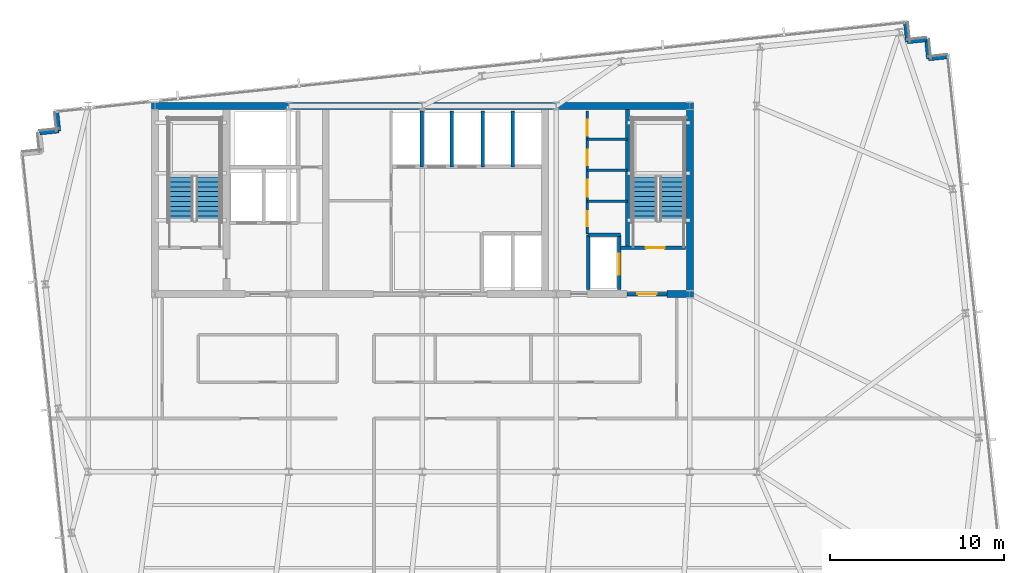
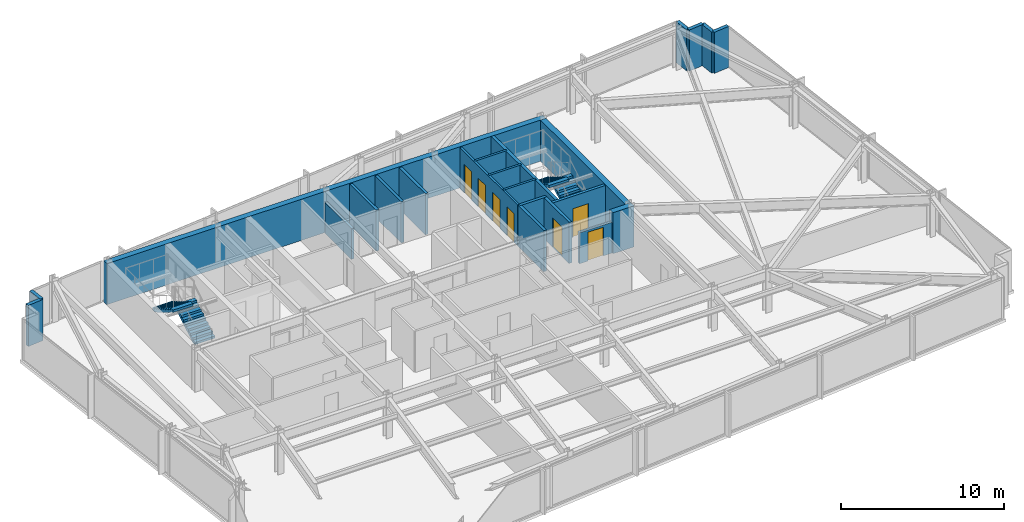
# One storey, part 28 of 32: 23 walls, 7 doors, 4 stair flights, 7 openings, 2 elements without a shape of their own.
"""IFC4 building model written with IfcOpenShell, lengths in metres."""

from ifc_helpers import new_model, si_unit, direction, frame, frame_2d, origin, place, context, subcontext, project, spatial, polyline, rectangle, outline, extrude, material, layer, layer_set, type_object, element, fill, aggregate, save


model = new_model("IFC4")

# Units and contexts
model_context = context("Model", 3, precision=1e-05, world=origin(), true_north=direction((0.0, 1.0)))
body_context = subcontext(model_context, "Body", "Model", "MODEL_VIEW")
ifc_project = project(units=[si_unit("LENGTHUNIT", "METRE"), si_unit("AREAUNIT", "SQUARE_METRE"), si_unit("VOLUMEUNIT", "CUBIC_METRE"), si_unit("PLANEANGLEUNIT", "RADIAN"), si_unit("MASSUNIT", "GRAM", prefix="KILO")], contexts=[model_context])

# Site, building, storey
site_placement = place(None, origin())
site = spatial("IfcSite", under=ifc_project, at=site_placement, CompositionType="ELEMENT")
building_placement = place(site_placement, origin())
building = spatial("IfcBuilding", under=site, at=building_placement, Name="Yelkora Congress Tower", CompositionType="ELEMENT")
storey_placement = place(building_placement, frame((0.0, 0.0, 207.800048828125)))
storey = spatial("IfcBuildingStorey", under=building, at=storey_placement, Name="L57", CompositionType="ELEMENT", Elevation=207.800048828125)

# Walls
ifc_material_1 = material(Name="Concrete C50/60", Category="concrete")
ifc_layer_1 = layer(ifc_material_1, 0.219970703125)
ifc_layer_set_1 = layer_set([ifc_layer_1], Name="Concrete C50/60")
wall_type_1 = type_object("IfcWallType", Name="WALL-CORE-INT-220", PredefinedType="SHEAR", material=ifc_layer_set_1)
wall_1_placement = place(storey_placement, frame((50.179931640625, 38.050048828125, 0.0), z_axis=(0.0, 0.0, 1.0), x_axis=(0.0, 1.0, 0.0)))
element("IfcWall", 1, at=wall_1_placement, inside=storey, type_object=wall_type_1, Name="L57 ST02 West Stair Shear Wall", PredefinedType="SHEAR", context=body_context, shape_type="SweptSolid", body=[
    extrude(rectangle(XDim=7.949951171875, YDim=0.219970703125, at=frame_2d((3.97509765625, 0.0))), origin(), (0.0, 0.0, 1.0), 3.079833984375),
])
ifc_layer_2 = layer(ifc_material_1, 0.39990234375)
ifc_layer_set_2 = layer_set([ifc_layer_2], Name="Concrete C50/60")
wall_type_2 = type_object("IfcWallType", Name="WALL-CORE-INT-400", PredefinedType="SHEAR", material=ifc_layer_set_2)
wall_2_placement = place(storey_placement, frame((22.840087890625, 46.199951171875, 0.0), z_axis=(0.0, 0.0, 1.0), x_axis=(1.0, 0.0, 0.0)))
element("IfcWall", 2, at=wall_2_placement, inside=storey, type_object=wall_type_2, Name="L57 Rear Core North Shear Wall", PredefinedType="SHEAR", context=body_context, shape_type="SweptSolid", body=[
    extrude(rectangle(XDim=31.119873046875, YDim=0.39990234375, at=frame_2d((15.56005859375, 0.0))), origin(), (0.0, 0.0, 1.0), 3.079833984375),
])
wall_3_placement = place(storey_placement, frame((52.449951171875, 35.39990234375, 0.0), z_axis=(0.0, 0.0, 1.0), x_axis=(1.0, 0.0, 0.0)))
element("IfcWall", 3, at=wall_3_placement, inside=storey, type_object=wall_type_2, Name="L57 Rear Core South-East Shear Wall B", PredefinedType="SHEAR", context=body_context, shape_type="SweptSolid", body=[
    extrude(rectangle(XDim=1.510009765625, YDim=0.39990234375, at=frame_2d((0.7548828125, 0.0))), origin(), (0.0, 0.0, 1.0), 3.079833984375),
])
wall_4_placement = place(storey_placement, frame((53.760009765625, 35.60009765625, 0.0), z_axis=(0.0, 0.0, 1.0), x_axis=(0.0, 1.0, 0.0)))
element("IfcWall", 4, at=wall_4_placement, inside=storey, type_object=wall_type_2, Name="L57 Rear Core Cross Shear Wall E", PredefinedType="SHEAR", context=body_context, shape_type="SweptSolid", body=[
    extrude(rectangle(XDim=10.39990234375, YDim=0.39990234375, at=frame_2d((5.199951171875, 0.0))), origin(), (0.0, 0.0, 1.0), 3.079833984375),
])
ifc_material_2 = material(Name="Concrete C40/50", Category="concrete")
ifc_layer_3 = layer(ifc_material_2, 0.239990234375)
ifc_layer_set_3 = layer_set([ifc_layer_3], Name="Concrete C40/50")
wall_type_3 = type_object("IfcWallType", Name="WALL-EXT-LIMESTONE-240", PredefinedType="SOLIDWALL", material=ifc_layer_set_3)
wall_5_placement = place(storey_placement, frame((16.420166015625, 44.65380859375, 0.0), z_axis=(0.0, 0.0, 1.0), x_axis=(0.994541884982, 0.104338099541, 0.0)))
element("IfcWall", 5, at=wall_5_placement, inside=storey, type_object=wall_type_3, Name="L57 Serrated Corner Limestone Pier 8", PredefinedType="SOLIDWALL", context=body_context, shape_type="SweptSolid", body=[
    extrude(rectangle(XDim=1.099853515625, YDim=0.239990234375, at=frame_2d((0.5498046875, 0.0))), origin(), (0.0, 0.0, 1.0), 3.079833984375),
])
for number, where, z_axis, x_axis, name in (
    (6, (17.513916015625, 44.7685546875, 0.0), (0.0, 0.0, 1.0), (-0.104534592565, 0.994521251134, 0.0), "L57 Serrated Corner Limestone Pier 9"),
    (7, (66.150390625, 50.986572265625, 0.0), (0.0, 0.0, 1.0), (0.104534592565, -0.994521251134, 0.0), "L57 Serrated Corner Limestone Pier 11"),
    (8, (66.265380859375, 49.892578125, 0.0), (0.0, 0.0, 1.0), (0.994521251134, 0.104534592565, 0.0), "L57 Serrated Corner Limestone Pier 12"),
    (9, (67.359375, 50.007568359375, 0.0), (0.0, 0.0, 1.0), (0.104534592565, -0.994521251134, 0.0), "L57 Serrated Corner Limestone Pier 13"),
    (10, (67.474365234375, 48.91357421875, 0.0), (0.0, 0.0, 1.0), (0.994521251134, 0.104534592565, 0.0), "L57 Serrated Corner Limestone Pier 14"),
):
    element("IfcWall", number, at=place(storey_placement, frame(where, z_axis=z_axis, x_axis=x_axis)), inside=storey, type_object=wall_type_3, Name=name, PredefinedType="SOLIDWALL", context=body_context, shape_type="SweptSolid", body=[
        extrude(rectangle(XDim=1.10009765625, YDim=0.239990234375, at=frame_2d((0.550048828125, 0.0))), origin(), (0.0, 0.0, 1.0), 3.079833984375),
    ])
ifc_material_3 = material(Name="Acoustic metal-stud gypsum partition", Category="gypsum")
ifc_layer_4 = layer(ifc_material_3, 0.14990234375)
ifc_layer_set_4 = layer_set([ifc_layer_4], Name="Acoustic metal-stud gypsum partition")
wall_type_4 = type_object("IfcWallType", Name="WALL-INT-150-NR", PredefinedType="PARTITIONING", material=ifc_layer_set_4)
for number, where, z_axis, x_axis, name in (
    (11, (47.8798828125, 40.719970703125, 0.0), (0.0, 0.0, 1.0), (1.0, 0.0, 0.0), "L57 Partition Wall 24"),
    (12, (47.8798828125, 42.52001953125, 0.0), (0.0, 0.0, 1.0), (1.0, 0.0, 0.0), "L57 Partition Wall 25"),
    (13, (47.8798828125, 44.280029296875, 0.0), (0.0, 0.0, 1.0), (1.0, 0.0, 0.0), "L57 Partition Wall 26"),
):
    element("IfcWall", number, at=place(storey_placement, frame(where, z_axis=z_axis, x_axis=x_axis)), inside=storey, type_object=wall_type_4, Name=name, PredefinedType="PARTITIONING", context=body_context, shape_type="SweptSolid", body=[
        extrude(rectangle(XDim=2.300048828125, YDim=0.14990234375, at=frame_2d((1.14990234375, 0.0))), origin(), (0.0, 0.0, 1.0), 3.079833984375),
    ])

# Wall, openings, doors
wall_6_placement = place(storey_placement, frame((47.8798828125, 38.85009765625, 0.0), z_axis=(0.0, 0.0, 1.0), x_axis=(0.0, 1.0, 0.0)))
wall_6 = element("IfcWall", 14, at=wall_6_placement, inside=storey, type_object=wall_type_4, Name="L57 Partition Wall 27", PredefinedType="PARTITIONING", context=body_context, shape_type="SweptSolid", body=[
    extrude(rectangle(XDim=7.06982421875, YDim=0.14990234375, at=frame_2d((3.534912109375, 0.0))), origin(), (0.0, 0.0, 1.0), 3.079833984375),
])
opening_1_placement = place(wall_6_placement, frame((0.449951171875, 0.0, 0.0)))
opening_1 = element("IfcOpeningElement", 15, at=opening_1_placement, cuts=wall_6, Name="Opening DR-085N", PredefinedType="OPENING", context=body_context, shape_type="SweptSolid", body=[
    extrude(rectangle(XDim=0.85009765625, YDim=2.14990234375, at=frame_2d((0.425048828125, 1.074951171875))), frame((0.0, 0.0849609375, 0.0), z_axis=(0.0, -1.0, 0.0), x_axis=(1.0, 0.0, 0.0)), (0.0, 0.0, 1.0), 0.169921875),
])
opening_2_placement = place(wall_6_placement, frame((2.14990234375, 0.0, 0.0)))
opening_2 = element("IfcOpeningElement", 16, at=opening_2_placement, cuts=wall_6, Name="Opening DR-095N", PredefinedType="OPENING", context=body_context, shape_type="SweptSolid", body=[
    extrude(rectangle(XDim=0.949951171875, YDim=2.14990234375, at=frame_2d((0.47509765625, 1.074951171875))), frame((0.0, 0.0849609375, 0.0), z_axis=(0.0, -1.0, 0.0), x_axis=(1.0, 0.0, 0.0)), (0.0, 0.0, 1.0), 0.169921875),
])
opening_3_placement = place(wall_6_placement, frame((3.949951171875, 0.0, 0.0)))
opening_3 = element("IfcOpeningElement", 17, at=opening_3_placement, cuts=wall_6, Name="Opening DR-090N", PredefinedType="OPENING", context=body_context, shape_type="SweptSolid", body=[
    extrude(rectangle(XDim=0.89990234375, YDim=2.14990234375, at=frame_2d((0.449951171875, 1.074951171875))), frame((0.0, 0.0849609375, 0.0), z_axis=(0.0, -1.0, 0.0), x_axis=(1.0, 0.0, 0.0)), (0.0, 0.0, 1.0), 0.169921875),
])
opening_4_placement = place(wall_6_placement, frame((5.64990234375, 0.0, 0.0)))
opening_4 = element("IfcOpeningElement", 18, at=opening_4_placement, cuts=wall_6, Name="Opening DR-090N", PredefinedType="OPENING", context=body_context, shape_type="SweptSolid", body=[
    extrude(rectangle(XDim=0.89990234375, YDim=2.14990234375, at=frame_2d((0.449951171875, 1.074951171875))), frame((0.0, 0.0849609375, 0.0), z_axis=(0.0, -1.0, 0.0), x_axis=(1.0, 0.0, 0.0)), (0.0, 0.0, 1.0), 0.169921875),
])
ifc_material_4 = material(Name="Laminate service store door leaf", Category="wood")
door_type_1 = type_object("IfcDoorType", Name="DOOR-INT-850", OperationType="NOTDEFINED", PredefinedType="DOOR", material=ifc_material_4)
door_1_placement = place(opening_1_placement, origin())
door_1 = element("IfcDoor", 19, at=door_1_placement, inside=storey, type_object=door_type_1, Name="L57 Janitor Room Door", OperationType="SINGLE_SWING_LEFT", OverallHeight=2.14990234375, OverallWidth=0.85009765625, PredefinedType="DOOR", context=body_context, shape_type="SweptSolid", body=[
    extrude(rectangle(XDim=0.85009765625, YDim=2.14990234375, at=frame_2d((0.425048828125, 1.074951171875))), frame((0.0, 0.02490234375, 0.0), z_axis=(0.0, -1.0, 0.0), x_axis=(1.0, 0.0, 0.0)), (0.0, 0.0, 1.0), 0.050048828125),
])
fill(opening_1, door_1)
ifc_material_5 = material(Name="Moisture-resistant laminate door leaf", Category="wood")
door_type_2 = type_object("IfcDoorType", Name="DOOR-INT-900", OperationType="NOTDEFINED", PredefinedType="DOOR", material=ifc_material_5)
door_2_placement = place(opening_3_placement, origin())
door_2 = element("IfcDoor", 20, at=door_2_placement, inside=storey, type_object=door_type_2, Name="L57 Male WC Door", OperationType="SINGLE_SWING_LEFT", OverallHeight=2.14990234375, OverallWidth=0.89990234375, PredefinedType="DOOR", context=body_context, shape_type="SweptSolid", body=[
    extrude(rectangle(XDim=0.89990234375, YDim=2.14990234375, at=frame_2d((0.449951171875, 1.074951171875))), frame((0.0, 0.02490234375, 0.0), z_axis=(0.0, -1.0, 0.0), x_axis=(1.0, 0.0, 0.0)), (0.0, 0.0, 1.0), 0.050048828125),
])
fill(opening_3, door_2)
door_3_placement = place(opening_4_placement, origin())
door_3 = element("IfcDoor", 21, at=door_3_placement, inside=storey, type_object=door_type_2, Name="L57 Female WC Door", OperationType="SINGLE_SWING_RIGHT", OverallHeight=2.14990234375, OverallWidth=0.89990234375, PredefinedType="DOOR", context=body_context, shape_type="SweptSolid", body=[
    extrude(rectangle(XDim=0.89990234375, YDim=2.14990234375, at=frame_2d((0.449951171875, 1.074951171875))), frame((0.0, 0.02490234375, 0.0), z_axis=(0.0, -1.0, 0.0), x_axis=(1.0, 0.0, 0.0)), (0.0, 0.0, 1.0), 0.050048828125),
])
fill(opening_4, door_3)
ifc_material_6 = material(Name="Acoustic laminated timber office door", Category="wood")
door_type_3 = type_object("IfcDoorType", Name="DOOR-INT-950", OperationType="NOTDEFINED", PredefinedType="DOOR", material=ifc_material_6)
door_4_placement = place(opening_2_placement, origin())
door_4 = element("IfcDoor", 22, at=door_4_placement, inside=storey, type_object=door_type_3, Name="L57 Accessible WC Door", OperationType="SINGLE_SWING_RIGHT", OverallHeight=2.14990234375, OverallWidth=0.949951171875, PredefinedType="DOOR", context=body_context, shape_type="SweptSolid", body=[
    extrude(rectangle(XDim=0.949951171875, YDim=2.14990234375, at=frame_2d((0.47509765625, 1.074951171875))), frame((0.0, 0.02490234375, 0.0), z_axis=(0.0, -1.0, 0.0), x_axis=(1.0, 0.0, 0.0)), (0.0, 0.0, 1.0), 0.050048828125),
])
fill(opening_2, door_4)

# Walls
ifc_material_7 = material(Name="Autoclaved aerated concrete blockwork", Category="masonry")
ifc_layer_5 = layer(ifc_material_7, 0.199951171875)
ifc_layer_set_5 = layer_set([ifc_layer_5], Name="Autoclaved aerated concrete blockwork")
wall_type_5 = type_object("IfcWallType", Name="WALL-INT-200-R120", PredefinedType="PARTITIONING", material=ifc_layer_set_5)
wall_7_placement = place(storey_placement, frame((38.35009765625, 42.699951171875, 0.0), z_axis=(0.0, 0.0, 1.0), x_axis=(0.0, 1.0, 0.0)))
element("IfcWall", 23, at=wall_7_placement, inside=storey, type_object=wall_type_5, Name="L57 Partition Wall 9", PredefinedType="PARTITIONING", context=body_context, shape_type="SweptSolid", body=[
    extrude(rectangle(XDim=3.219970703125, YDim=0.199951171875, at=frame_2d((1.60986328125, 0.0))), origin(), (0.0, 0.0, 1.0), 2.31298828125),
])
for number, where, z_axis, x_axis, name in (
    (24, (40.10009765625, 42.699951171875, 0.0), (0.0, 0.0, 1.0), (0.0, 1.0, 0.0), "L57 Partition Wall 10"),
    (25, (43.60009765625, 42.699951171875, 0.0), (0.0, 0.0, 1.0), (0.0, 1.0, 0.0), "L57 Partition Wall 16"),
    (26, (41.8798828125, 42.699951171875, 0.0), (0.0, 0.0, 1.0), (0.0, 1.0, 0.0), "L57 Partition Wall 18"),
):
    element("IfcWall", number, at=place(storey_placement, frame(where, z_axis=z_axis, x_axis=x_axis)), inside=storey, type_object=wall_type_5, Name=name, PredefinedType="PARTITIONING", context=body_context, shape_type="SweptSolid", body=[
        extrude(rectangle(XDim=3.219970703125, YDim=0.199951171875, at=frame_2d((1.60986328125, 0.0))), origin(), (0.0, 0.0, 1.0), 3.079833984375),
    ])

# Wall, opening, door
wall_8_placement = place(storey_placement, frame((49.780029296875, 38.050048828125, 0.0), z_axis=(0.0, 0.0, 1.0), x_axis=(1.0, 0.0, 0.0)))
wall_8 = element("IfcWall", 27, at=wall_8_placement, inside=storey, type_object=wall_type_5, Name="L57 Stair ST-02 Enclosure Wall", PredefinedType="PARTITIONING", context=body_context, shape_type="SweptSolid", body=[
    extrude(rectangle(XDim=3.719970703125, YDim=0.199951171875, at=frame_2d((1.85986328125, 0.0))), origin(), (0.0, 0.0, 1.0), 3.079833984375),
])
opening_5_placement = place(wall_8_placement, frame((1.436279296875, 0.0, 0.0)))
opening_5 = element("IfcOpeningElement", 28, at=opening_5_placement, cuts=wall_8, Name="Opening DR-110F9", PredefinedType="OPENING", context=body_context, shape_type="SweptSolid", body=[
    extrude(rectangle(XDim=1.10009765625, YDim=2.14990234375, at=frame_2d((0.550048828125, 1.074951171875))), frame((0.0, 0.10986328125, 0.0), z_axis=(0.0, -1.0, 0.0), x_axis=(1.0, 0.0, 0.0)), (0.0, 0.0, 1.0), 0.219970703125),
])
ifc_material_8 = material(Name="Galvanised steel fire door leaf", Category="steel")
door_type_4 = type_object("IfcDoorType", Name="DOOR-FD90-1100", OperationType="NOTDEFINED", PredefinedType="DOOR", material=ifc_material_8)
door_5_placement = place(opening_5_placement, origin())
door_5 = element("IfcDoor", 29, at=door_5_placement, inside=storey, type_object=door_type_4, Name="L57 Stair ST-02 Entry Door", OperationType="SINGLE_SWING_RIGHT", OverallHeight=2.14990234375, OverallWidth=1.10009765625, PredefinedType="DOOR", context=body_context, shape_type="SweptSolid", body=[
    extrude(rectangle(XDim=1.10009765625, YDim=2.14990234375, at=frame_2d((0.550048828125, 1.074951171875))), frame((0.0, 0.02490234375, 0.0), z_axis=(0.0, -1.0, 0.0), x_axis=(1.0, 0.0, 0.0)), (0.0, 0.0, 1.0), 0.050048828125),
])
fill(opening_5, door_5)

wall_9_placement = place(storey_placement, frame((50.14990234375, 35.39990234375, 0.0), z_axis=(0.0, 0.0, 1.0), x_axis=(1.0, 0.0, 0.0)))
wall_9 = element("IfcWall", 30, at=wall_9_placement, inside=storey, type_object=wall_type_5, Name="L57 Partition Wall 20", PredefinedType="PARTITIONING", context=body_context, shape_type="SweptSolid", body=[
    extrude(rectangle(XDim=2.300048828125, YDim=0.199951171875, at=frame_2d((1.14990234375, 0.0))), origin(), (0.0, 0.0, 1.0), 2.31298828125),
])
opening_6_placement = place(wall_9_placement, frame((0.60009765625, 0.0, 0.0)))
opening_6 = element("IfcOpeningElement", 31, at=opening_6_placement, cuts=wall_9, Name="Opening DR-110F9", PredefinedType="OPENING", context=body_context, shape_type="SweptSolid", body=[
    extrude(rectangle(XDim=1.10009765625, YDim=2.14990234375, at=frame_2d((0.550048828125, 1.074951171875))), frame((0.0, 0.10986328125, 0.0), z_axis=(0.0, -1.0, 0.0), x_axis=(1.0, 0.0, 0.0)), (0.0, 0.0, 1.0), 0.219970703125),
])
door_6_placement = place(opening_6_placement, origin())
door_6 = element("IfcDoor", 32, at=door_6_placement, inside=storey, type_object=door_type_4, Name="L57 East Stair Lobby Door", OperationType="SINGLE_SWING_LEFT", OverallHeight=2.14990234375, OverallWidth=1.10009765625, PredefinedType="DOOR", context=body_context, shape_type="SweptSolid", body=[
    extrude(rectangle(XDim=1.10009765625, YDim=2.14990234375, at=frame_2d((0.550048828125, 1.074951171875))), frame((0.0, 0.02490234375, 0.0), z_axis=(0.0, -1.0, 0.0), x_axis=(1.0, 0.0, 0.0)), (0.0, 0.0, 1.0), 0.050048828125),
])
fill(opening_6, door_6)

wall_10_placement = place(storey_placement, frame((49.699951171875, 35.64990234375, 0.0), z_axis=(0.0, 0.0, 1.0), x_axis=(0.0, 1.0, 0.0)))
wall_10 = element("IfcWall", 33, at=wall_10_placement, inside=storey, type_object=wall_type_5, Name="L57 Partition Wall 21", PredefinedType="PARTITIONING", context=body_context, shape_type="SweptSolid", body=[
    extrude(rectangle(XDim=3.150146484375, YDim=0.199951171875, at=frame_2d((1.5751953125, 0.0))), origin(), (0.0, 0.0, 1.0), 3.079833984375),
])
opening_7_placement = place(wall_10_placement, frame((0.85009765625, 0.0, 0.0)))
opening_7 = element("IfcOpeningElement", 34, at=opening_7_placement, cuts=wall_10, Name="Opening LD-SV12", PredefinedType="OPENING", context=body_context, shape_type="SweptSolid", body=[
    extrude(rectangle(XDim=1.199951171875, YDim=2.199951171875, at=frame_2d((0.60009765625, 1.10009765625))), frame((0.0, 0.10986328125, 0.0), z_axis=(0.0, -1.0, 0.0), x_axis=(1.0, 0.0, 0.0)), (0.0, 0.0, 1.0), 0.219970703125),
])
ifc_material_9 = material(Name="Heavy-duty stainless steel landing door", Category="steel")
door_type_5 = type_object("IfcDoorType", Name="DOOR-LIFT-SRV-1200", OperationType="DOUBLE_DOOR_SLIDING", PredefinedType="DOOR", material=ifc_material_9)
door_7_placement = place(opening_7_placement, origin())
door_7 = element("IfcDoor", 35, at=door_7_placement, inside=storey, type_object=door_type_5, Name="Service Lift Landing Door LF-SV1 L57", OperationType="DOUBLE_DOOR_SLIDING", OverallHeight=2.199951171875, OverallWidth=1.199951171875, PredefinedType="DOOR", context=body_context, shape_type="SweptSolid", body=[
    extrude(rectangle(XDim=1.199951171875, YDim=2.199951171875, at=frame_2d((0.60009765625, 1.10009765625))), frame((0.0, 0.02490234375, 0.0), z_axis=(0.0, -1.0, 0.0), x_axis=(1.0, 0.0, 0.0)), (0.0, 0.0, 1.0), 0.050048828125),
])
fill(opening_7, door_7)

# Walls
wall_11_placement = place(storey_placement, frame((47.919921875, 35.64990234375, 0.0), z_axis=(0.0, 0.0, 1.0), x_axis=(0.0, 1.0, 0.0)))
element("IfcWall", 36, at=wall_11_placement, inside=storey, type_object=wall_type_5, Name="L57 Partition Wall 22", PredefinedType="PARTITIONING", context=body_context, shape_type="SweptSolid", body=[
    extrude(rectangle(XDim=3.150146484375, YDim=0.199951171875, at=frame_2d((1.5751953125, 0.0))), origin(), (0.0, 0.0, 1.0), 3.079833984375),
])
wall_12_placement = place(storey_placement, frame((47.919921875, 38.800048828125, 0.0), z_axis=(0.0, 0.0, 1.0), x_axis=(1.0, 0.0, 0.0)))
element("IfcWall", 37, at=wall_12_placement, inside=storey, type_object=wall_type_5, Name="L57 Partition Wall 23", PredefinedType="PARTITIONING", context=body_context, shape_type="SweptSolid", body=[
    extrude(rectangle(XDim=1.860107421875, YDim=0.199951171875, at=frame_2d((0.93017578125, 0.0))), origin(), (0.0, 0.0, 1.0), 3.079833984375),
])

# Stair, stair flights
stair_type = type_object("IfcStairType", Name="STAIR-HT-1420-R20-165", PredefinedType="HALF_TURN_STAIR", material=ifc_material_2)
stair_1_placement = place(storey_placement, origin())
stair_1 = element("IfcStair", 38, at=stair_1_placement, inside=storey, type_object=stair_type, Name="West Core Protected Exit Stair ST-01 (L57)", PredefinedType="HALF_TURN_STAIR")
stair_flight_type = type_object("IfcStairFlightType", Name="FLIGHT-1420-N10-R165-G280", PredefinedType="STRAIGHT", material=ifc_material_2)
stair_flight_1_placement = place(storey_placement, frame((26.110107421875, 39.60009765625, 0.0), z_axis=(0.0, 0.0, 1.0), x_axis=(0.0, 1.0, 0.0)))
stair_flight_1 = element("IfcStairFlight", 39, at=stair_flight_1_placement, type_object=stair_flight_type, Name="ST-01 L57 Flight 1", NumberOfRisers=10, NumberOfTreads=9, PredefinedType="STRAIGHT", RiserHeight=0.165, TreadLength=0.28, context=body_context, shape_type="SweptSolid", body=[
    extrude(outline(polyline([(0.0, 0.0), (0.0, 0.1650390625), (0.280029296875, 0.1650390625), (0.280029296875, 0.330078125), (0.56005859375, 0.330078125), (0.56005859375, 0.4951171875), (0.840087890625, 0.4951171875), (0.840087890625, 0.659912109375), (1.1201171875, 0.659912109375), (1.1201171875, 0.824951171875), (1.39990234375, 0.824951171875), (1.39990234375, 0.989990234375), (1.679931640625, 0.989990234375), (1.679931640625, 1.155029296875), (1.9599609375, 1.155029296875), (1.9599609375, 1.320068359375), (2.239990234375, 1.320068359375), (2.239990234375, 1.485107421875), (2.52001953125, 1.485107421875), (2.52001953125, 1.64990234375), (2.52001953125, 1.29931640625), (0.31494140625, 0.0), (0.0, 0.0)])), frame((0.0, 0.7099609375, 0.0), z_axis=(0.0, -1.0, 0.0), x_axis=(1.0, 0.0, 0.0)), (0.0, 0.0, 1.0), 1.419921875),
])
stair_flight_2_placement = place(storey_placement, frame((24.530029296875, 42.1201171875, 1.64990234375), z_axis=(0.0, 0.0, 1.0), x_axis=(0.0, -1.0, 0.0)))
stair_flight_2 = element("IfcStairFlight", 40, at=stair_flight_2_placement, type_object=stair_flight_type, Name="ST-01 L57 Flight 2", NumberOfRisers=10, NumberOfTreads=9, PredefinedType="STRAIGHT", RiserHeight=0.165, TreadLength=0.28, context=body_context, shape_type="SweptSolid", body=[
    extrude(outline(polyline([(0.0, 0.0), (0.0, 0.1650390625), (0.280029296875, 0.1650390625), (0.280029296875, 0.330078125), (0.56005859375, 0.330078125), (0.56005859375, 0.4951171875), (0.840087890625, 0.4951171875), (0.840087890625, 0.659912109375), (1.1201171875, 0.659912109375), (1.1201171875, 0.824951171875), (1.39990234375, 0.824951171875), (1.39990234375, 0.989990234375), (1.679931640625, 0.989990234375), (1.679931640625, 1.155029296875), (1.9599609375, 1.155029296875), (1.9599609375, 1.320068359375), (2.239990234375, 1.320068359375), (2.239990234375, 1.485107421875), (2.52001953125, 1.485107421875), (2.52001953125, 1.64990234375), (2.52001953125, 1.29931640625), (0.31494140625, 0.0), (0.0, 0.0)])), frame((0.0, 0.7099609375, 0.0), z_axis=(0.0, -1.0, 0.0), x_axis=(1.0, 0.0, 0.0)), (0.0, 0.0, 1.0), 1.419921875),
])
aggregate(stair_1, [stair_flight_1, stair_flight_2])

stair_2_placement = place(storey_placement, origin())
stair_2 = element("IfcStair", 41, at=stair_2_placement, inside=storey, type_object=stair_type, Name="East Core Protected Exit Stair ST-02 (L57)", PredefinedType="HALF_TURN_STAIR")
stair_flight_3_placement = place(storey_placement, frame((52.75, 39.60009765625, 0.0), z_axis=(0.0, 0.0, 1.0), x_axis=(0.0, 1.0, 0.0)))
stair_flight_3 = element("IfcStairFlight", 42, at=stair_flight_3_placement, type_object=stair_flight_type, Name="ST-02 L57 Flight 1", NumberOfRisers=10, NumberOfTreads=9, PredefinedType="STRAIGHT", RiserHeight=0.165, TreadLength=0.28, context=body_context, shape_type="SweptSolid", body=[
    extrude(outline(polyline([(0.0, 0.0), (0.0, 0.1650390625), (0.280029296875, 0.1650390625), (0.280029296875, 0.330078125), (0.56005859375, 0.330078125), (0.56005859375, 0.4951171875), (0.840087890625, 0.4951171875), (0.840087890625, 0.659912109375), (1.1201171875, 0.659912109375), (1.1201171875, 0.824951171875), (1.39990234375, 0.824951171875), (1.39990234375, 0.989990234375), (1.679931640625, 0.989990234375), (1.679931640625, 1.155029296875), (1.9599609375, 1.155029296875), (1.9599609375, 1.320068359375), (2.239990234375, 1.320068359375), (2.239990234375, 1.485107421875), (2.52001953125, 1.485107421875), (2.52001953125, 1.64990234375), (2.52001953125, 1.29931640625), (0.31494140625, 0.0), (0.0, 0.0)])), frame((0.0, 0.7099609375, 0.0), z_axis=(0.0, -1.0, 0.0), x_axis=(1.0, 0.0, 0.0)), (0.0, 0.0, 1.0), 1.419921875),
])
stair_flight_4_placement = place(storey_placement, frame((51.169921875, 42.1201171875, 1.64990234375), z_axis=(0.0, 0.0, 1.0), x_axis=(0.0, -1.0, 0.0)))
stair_flight_4 = element("IfcStairFlight", 43, at=stair_flight_4_placement, type_object=stair_flight_type, Name="ST-02 L57 Flight 2", NumberOfRisers=10, NumberOfTreads=9, PredefinedType="STRAIGHT", RiserHeight=0.165, TreadLength=0.28, context=body_context, shape_type="SweptSolid", body=[
    extrude(outline(polyline([(0.0, 0.0), (0.0, 0.1650390625), (0.280029296875, 0.1650390625), (0.280029296875, 0.330078125), (0.56005859375, 0.330078125), (0.56005859375, 0.4951171875), (0.840087890625, 0.4951171875), (0.840087890625, 0.659912109375), (1.1201171875, 0.659912109375), (1.1201171875, 0.824951171875), (1.39990234375, 0.824951171875), (1.39990234375, 0.989990234375), (1.679931640625, 0.989990234375), (1.679931640625, 1.155029296875), (1.9599609375, 1.155029296875), (1.9599609375, 1.320068359375), (2.239990234375, 1.320068359375), (2.239990234375, 1.485107421875), (2.52001953125, 1.485107421875), (2.52001953125, 1.64990234375), (2.52001953125, 1.29931640625), (0.31494140625, 0.0), (0.0, 0.0)])), frame((0.0, 0.7099609375, 0.0), z_axis=(0.0, -1.0, 0.0), x_axis=(1.0, 0.0, 0.0)), (0.0, 0.0, 1.0), 1.419921875),
])
aggregate(stair_2, [stair_flight_3, stair_flight_4])

save(model, "model.ifc")
